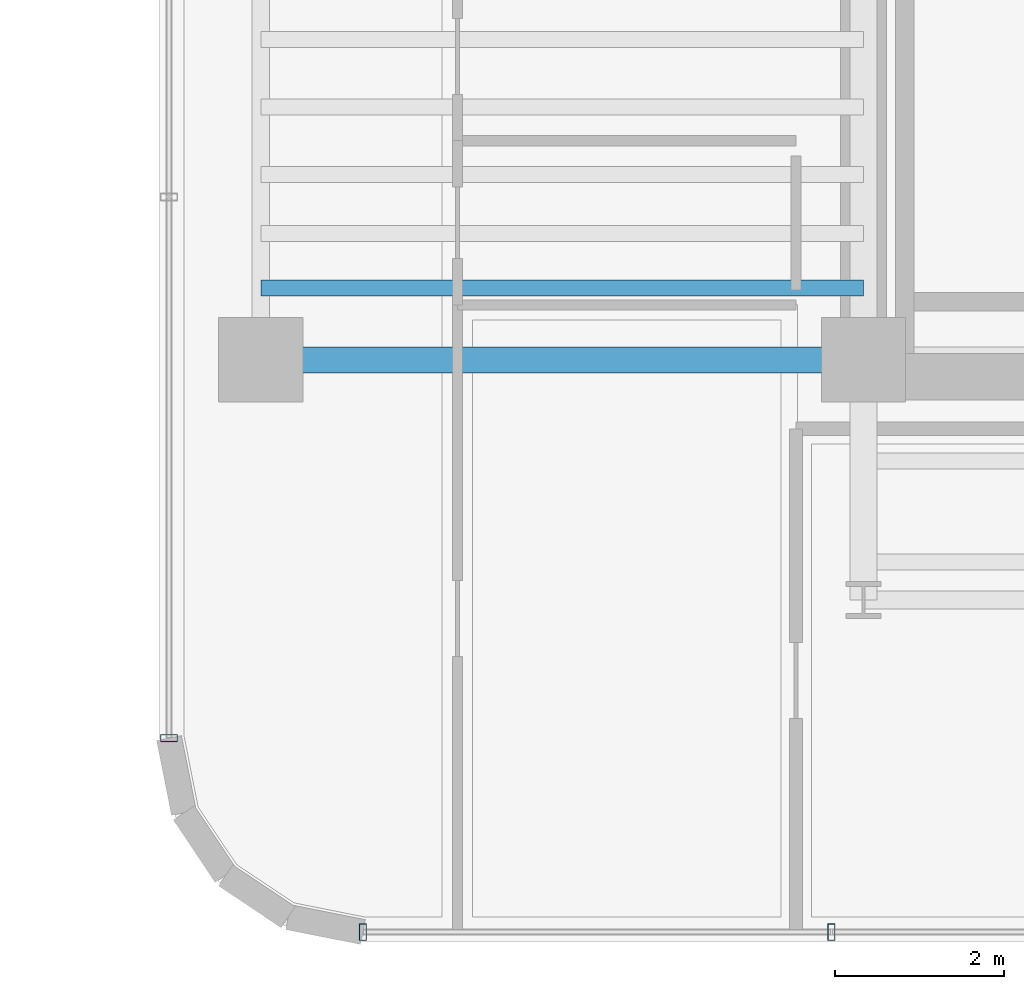
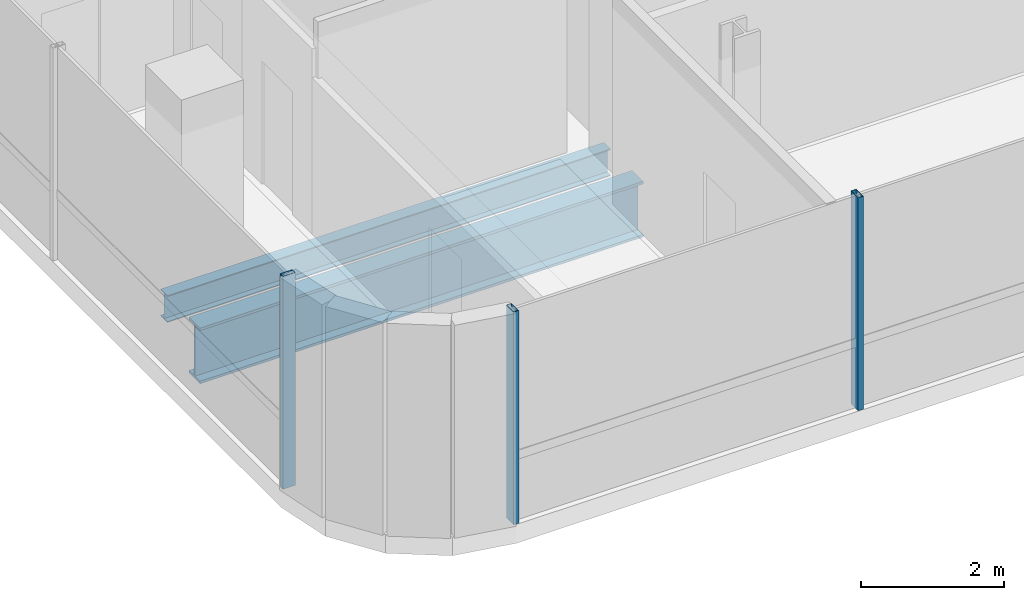
# One storey, part 2 of 39: 3 members, 2 beams, 2 elements without a shape of their own.
"""IFC4 building model written with IfcOpenShell, lengths in metres."""

import ifcopenshell
import ifcopenshell.guid

model = None  # the IFC model being written
_history = None  # IfcOwnerHistory: only IFC2X3 demands one
_inside = {}  # id of a spatial element -> (the spatial element, [elements in it])
_under = {}  # id of a project, library or spatial element -> (it, [spatial elements below it])
_declared = {}  # id of a project -> (the project, [libraries it declares])
_typed = {}  # id of a type object -> (the type object, [elements of that type])
_made_of = {}  # id of a material, layer set ... -> (it, [elements and type objects made of it])


def new_model(schema):
    """Start an empty IFC model of exactly this schema.

    Asked for "IFC4X3", IfcOpenShell would pick the latest addendum, in which some entities
    have other attributes; the version numbers below select the first issue.
    IFC2X3 requires an IfcOwnerHistory on every rooted entity: one is made here for all.
    """
    global model, _history
    if schema == "IFC4X3":
        model = ifcopenshell.file(schema_version=(4, 3, 0, 0))
    else:
        model = ifcopenshell.file(schema=schema)
    _inside.clear()
    _under.clear()
    _declared.clear()
    _typed.clear()
    _made_of.clear()
    _history = None
    if model.schema == "IFC2X3":
        org = make("IfcOrganization", Name="unknown")
        user = make(
            "IfcPersonAndOrganization",
            ThePerson=make("IfcPerson", FamilyName="unknown"),
            TheOrganization=org,
        )
        app = make(
            "IfcApplication",
            ApplicationDeveloper=org,
            Version="unknown",
            ApplicationFullName="unknown",
            ApplicationIdentifier="unknown",
        )
        _history = make(
            "IfcOwnerHistory",
            OwningUser=user,
            OwningApplication=app,
            ChangeAction="ADDED",
            CreationDate=0,
        )
    return model


def make(cls, **values):
    """One entity of the class cls with the attributes given. An attribute that is None is left unset."""
    return model.create_entity(
        cls, **{name: value for name, value in values.items() if value is not None}
    )


def rooted(cls, **values):
    """An entity with a GlobalId (a new one), such as an element, a storey or a relation."""
    return make(cls, GlobalId=ifcopenshell.guid.new(), OwnerHistory=_history, **values)


def si_unit(unit_type, name, prefix=None):
    """IfcSIUnit, for example si_unit("LENGTHUNIT", "METRE", prefix="MILLI")."""
    return make("IfcSIUnit", UnitType=unit_type, Prefix=prefix, Name=name)


def assignment(units):
    """IfcUnitAssignment: the units of a project."""
    return None if units is None else make("IfcUnitAssignment", Units=units)


def point(xyz):
    """IfcCartesianPoint."""
    return None if xyz is None else make("IfcCartesianPoint", Coordinates=xyz)


def direction(xyz):
    """IfcDirection."""
    return None if xyz is None else make("IfcDirection", DirectionRatios=xyz)


def frame(location, z_axis=None, x_axis=None):
    """IfcAxis2Placement3D, a coordinate frame: its origin and axes. An axis left out is left unset."""
    return make(
        "IfcAxis2Placement3D",
        Location=point(location),
        Axis=direction(z_axis),
        RefDirection=direction(x_axis),
    )


def frame_2d(location, x_axis=None):
    """IfcAxis2Placement2D, a coordinate frame in the plane: its origin and x axis."""
    return make(
        "IfcAxis2Placement2D", Location=point(location), RefDirection=direction(x_axis)
    )


def origin():
    """The frame at (0, 0, 0) with its axes left unset."""
    return frame((0.0, 0.0, 0.0))


def origin_2d():
    """The frame at (0, 0) in the plane with its x axis left unset."""
    return frame_2d((0.0, 0.0))


def place(relative_to, where):
    """IfcLocalPlacement: puts the frame where relative to a parent placement (None: the world)."""
    return make(
        "IfcLocalPlacement", PlacementRelTo=relative_to, RelativePlacement=where
    )


def context(
    kind, dimensions, precision=None, world=None, true_north=None, identifier=None
):
    """IfcGeometricRepresentationContext, for example the 3D "Model" context."""
    return make(
        "IfcGeometricRepresentationContext",
        ContextIdentifier=identifier,
        ContextType=kind,
        CoordinateSpaceDimension=dimensions,
        Precision=precision,
        WorldCoordinateSystem=world,
        TrueNorth=true_north,
    )


def subcontext(parent, identifier, kind, view, scale=None):
    """IfcGeometricRepresentationSubContext, for example "Body" below "Model"."""
    return make(
        "IfcGeometricRepresentationSubContext",
        ContextIdentifier=identifier,
        ContextType=kind,
        ParentContext=parent,
        TargetScale=scale,
        TargetView=view,
    )


def project(units=None, contexts=None):
    """IfcProject with its units and contexts."""
    return rooted(
        "IfcProject",
        Name="project",
        RepresentationContexts=contexts,
        UnitsInContext=assignment(units),
    )


def spatial(cls, under=None, at=None, **own):
    """A site, building, storey or space (cls), placed at a placement, below another one or the project."""
    s = rooted(cls, ObjectPlacement=at, **own)
    if under is not None:
        _under.setdefault(under.id(), (under, []))[1].append(s)
    return s


def profile(cls, at=None, kind="AREA", **sizes):
    """A parametric profile (cls). Its sizes go by their IFC names, for example OverallWidth=200.0."""
    return make(cls, ProfileType=kind, Position=at, **sizes)


def hollow_rectangle(**sizes):
    """IfcRectangleHollowProfileDef."""
    return profile("IfcRectangleHollowProfileDef", **sizes)


def i_section(**sizes):
    """IfcIShapeProfileDef."""
    return profile("IfcIShapeProfileDef", **sizes)


def extrude(swept, where, along, depth):
    """IfcExtrudedAreaSolid: the profile swept, set in the frame where, extruded along a direction by depth."""
    return make(
        "IfcExtrudedAreaSolid",
        SweptArea=swept,
        Position=where,
        ExtrudedDirection=direction(along),
        Depth=depth,
    )


def shape(context_of_items, identifier, shape_type, items):
    """IfcShapeRepresentation: the items that make up one representation, for example the "Body"."""
    return make(
        "IfcShapeRepresentation",
        ContextOfItems=context_of_items,
        RepresentationIdentifier=identifier,
        RepresentationType=shape_type,
        Items=items,
    )


def source(mapping_origin, context_of_items, identifier, shape_type, items):
    """IfcRepresentationMap: a shape defined once, which mapped items show again and again."""
    return make(
        "IfcRepresentationMap",
        MappingOrigin=mapping_origin,
        MappedRepresentation=shape(context_of_items, identifier, shape_type, items),
    )


def transform(
    local_origin,
    x_axis=None,
    y_axis=None,
    z_axis=None,
    scale=None,
    scale2=None,
    scale3=None,
    uniform=True,
):
    """IfcCartesianTransformationOperator3D, or its non-uniform kind. x_axis, y_axis, z_axis: its Axis1, 2, 3."""
    if uniform:
        return make(
            "IfcCartesianTransformationOperator3D",
            Axis1=direction(x_axis),
            Axis2=direction(y_axis),
            LocalOrigin=point(local_origin),
            Scale=scale,
            Axis3=direction(z_axis),
        )
    return make(
        "IfcCartesianTransformationOperator3DnonUniform",
        Axis1=direction(x_axis),
        Axis2=direction(y_axis),
        LocalOrigin=point(local_origin),
        Scale=scale,
        Axis3=direction(z_axis),
        Scale2=scale2,
        Scale3=scale3,
    )


def mapped(mapping_source, mapping_target):
    """IfcMappedItem: shows the shape of a source again, moved by a transform."""
    return make(
        "IfcMappedItem", MappingSource=mapping_source, MappingTarget=mapping_target
    )


def material(Name=None, Category=None):
    """IfcMaterial."""
    return make("IfcMaterial", Name=Name, Category=Category)


def material_profile(
    of_material, cross_section, Name=None, Category=None, Priority=None
):
    """IfcMaterialProfile: a cross section and its material."""
    return make(
        "IfcMaterialProfile",
        Name=Name,
        Material=of_material,
        Profile=cross_section,
        Priority=Priority,
        Category=Category,
    )


def profile_set(profiles, Name=None, composite=None):
    """IfcMaterialProfileSet."""
    return make(
        "IfcMaterialProfileSet",
        Name=Name,
        MaterialProfiles=profiles,
        CompositeProfile=composite,
    )


def made_of(thing, what):
    """Note that an element or type object is made of a material, layer set ...; save() writes the relation."""
    if what is not None:
        _made_of.setdefault(what.id(), (what, []))[1].append(thing)
    return thing


def type_object(cls, material=None, **own):
    """A type object (cls), such as IfcWallType, which elements share."""
    return made_of(rooted(cls, **own), material)


def element(
    cls,
    number,
    at=None,
    inside=None,
    cuts=None,
    type_object=None,
    material=None,
    context=None,
    identifier="Body",
    shape_type=None,
    held_by="IfcProductDefinitionShape",
    body=None,
    shapes=None,
    **own,
):
    """One element of the class cls, such as IfcWall. Its Tag is "e" and its number.

    at: its placement. inside: the storey or other place that contains it. cuts: it is an
    opening in that element (IfcRelVoidsElement). A single representation is given by context,
    identifier, shape_type and body (its items); several are given by shapes. held_by: the class
    of the entity that holds the representations. save() writes the other relations.
    """
    e = rooted(cls, Tag="e%d" % number, ObjectPlacement=at, **own)
    if body is not None:
        shapes = [shape(context, identifier, shape_type, body)]
    if shapes is not None:
        e.Representation = make(held_by, Representations=shapes)
    if inside is not None:
        _inside.setdefault(inside.id(), (inside, []))[1].append(e)
    if cuts is not None:
        rooted(
            "IfcRelVoidsElement", RelatingBuildingElement=cuts, RelatedOpeningElement=e
        )
    if type_object is not None:
        _typed.setdefault(type_object.id(), (type_object, []))[1].append(e)
    return made_of(e, material)


def aggregate(whole, parts):
    """IfcRelAggregates: a whole, such as a stair, and the parts it consists of."""
    return rooted("IfcRelAggregates", RelatingObject=whole, RelatedObjects=parts)


def save(model, path):
    """Write the relations noted so far, then the file.

    IfcRelAggregates (storeys below a building ...), IfcRelContainedInSpatialStructure (elements
    in a storey), IfcRelDefinesByType, IfcRelAssociatesMaterial and IfcRelDeclares: one each for
    every whole, place, type object, material and project.
    """
    for whole, parts in _under.values():
        aggregate(whole, parts)
    for where, things in _inside.values():
        rooted(
            "IfcRelContainedInSpatialStructure",
            RelatedElements=things,
            RelatingStructure=where,
        )
    for kind, things in _typed.values():
        rooted("IfcRelDefinesByType", RelatedObjects=things, RelatingType=kind)
    for what, things in _made_of.values():
        rooted("IfcRelAssociatesMaterial", RelatedObjects=things, RelatingMaterial=what)
    for by, libraries in _declared.values():
        rooted("IfcRelDeclares", RelatingContext=by, RelatedDefinitions=libraries)
    model.write(path)


model = new_model("IFC4")

# Units and contexts
model_context = context("Model", 3, precision=1e-05, world=origin(), true_north=direction((0.0, 1.0)))
body_context = subcontext(model_context, "Body", "Model", "MODEL_VIEW")
ifc_project = project(units=[si_unit("LENGTHUNIT", "METRE"), si_unit("AREAUNIT", "SQUARE_METRE"), si_unit("VOLUMEUNIT", "CUBIC_METRE"), si_unit("PLANEANGLEUNIT", "RADIAN"), si_unit("MASSUNIT", "GRAM", prefix="KILO")], contexts=[model_context])

# Site, building, storey
site_placement = place(None, origin())
site = spatial("IfcSite", under=ifc_project, at=site_placement, CompositionType="ELEMENT")
building_placement = place(site_placement, origin())
building = spatial("IfcBuilding", under=site, at=building_placement, Name="Valdorenza Pilgrim Sanctuary Tower", CompositionType="ELEMENT")
storey_placement = place(building_placement, frame((0.0, 0.0, 184.449951171875)))
storey = spatial("IfcBuildingStorey", under=building, at=storey_placement, Name="L47", CompositionType="ELEMENT", Elevation=184.449951171875)

# Beams
ifc_material_1 = material(Name="Steel ASTM A992 Grade 50", Category="steel")
ifc_material_profile_1 = material_profile(ifc_material_1, i_section(OverallWidth=0.19091796875, OverallDepth=0.45703125, WebThickness=0.009033203125, FlangeThickness=0.014404296875, at=origin_2d()), Name="W18X50")
ifc_profile_set_1 = profile_set([ifc_material_profile_1], Name="Steel ASTM A992 Grade 50")
beam_type_1 = type_object("IfcBeamType", Name="STR-BM-JST-W18B", PredefinedType="JOIST", material=ifc_profile_set_1)
shared_shape_1 = source(origin(), body_context, "Body", "SweptSolid", [
    extrude(i_section(OverallWidth=0.19091796875, OverallDepth=0.45703125, WebThickness=0.009033203125, FlangeThickness=0.014404296875, at=origin_2d()), origin(), (0.0, 0.0, 1.0), 7.150146484375),
])
beam_1_placement = place(storey_placement, frame((-29.800048828125, -9.75, -0.54833984375), z_axis=(1.0, 0.0, 0.0), x_axis=(0.0, 1.0, 0.0)))
element("IfcBeam", 1, at=beam_1_placement, inside=storey, type_object=beam_type_1, Name="L47 Composite Floor Joist JST-WA-1", PredefinedType="JOIST", context=body_context, shape_type="MappedRepresentation", body=[
    mapped(shared_shape_1, transform((0.0, 0.0, 0.0), x_axis=(1.0, 0.0, 0.0), y_axis=(0.0, 1.0, 0.0), z_axis=(0.0, 0.0, 1.0), scale=1.0)),
])
ifc_material_profile_2 = material_profile(ifc_material_1, i_section(OverallWidth=0.31005859375, OverallDepth=0.949951171875, WebThickness=0.0244140625, FlangeThickness=0.0439453125, at=origin_2d()), Name="W36X256")
ifc_profile_set_2 = profile_set([ifc_material_profile_2], Name="Steel ASTM A992 Grade 50")
beam_type_2 = type_object("IfcBeamType", Name="STR-BM-GRD-W36B", PredefinedType="BEAM", material=ifc_profile_set_2)
shared_shape_2 = source(origin(), body_context, "Body", "SweptSolid", [
    extrude(i_section(OverallWidth=0.31005859375, OverallDepth=0.949951171875, WebThickness=0.0244140625, FlangeThickness=0.0439453125, at=origin_2d()), origin(), (0.0, 0.0, 1.0), 7.150146484375),
])
beam_2_placement = place(storey_placement, frame((-29.800048828125, -10.60009765625, -0.794921875), z_axis=(1.0, 0.0, 0.0), x_axis=(0.0, 1.0, 0.0)))
element("IfcBeam", 2, at=beam_2_placement, inside=storey, type_object=beam_type_2, Name="L47 Floor Girder WA-XW-S1", PredefinedType="BEAM", context=body_context, shape_type="MappedRepresentation", body=[
    mapped(shared_shape_2, transform((0.0, 0.0, 0.0), x_axis=(1.0, 0.0, 0.0), y_axis=(0.0, 1.0, 0.0), z_axis=(0.0, 0.0, 1.0), scale=1.0)),
])

# Curtain wall, member
ifc_material_2 = material(Name="Curtain-wall IGU glazing", Category="glass")
curtain_wall_type = type_object("IfcCurtainWallType", Name="CW-SYS-02", PredefinedType="NOTDEFINED", material=ifc_material_2)
curtain_wall_1_placement = place(storey_placement, origin())
curtain_wall_1 = element("IfcCurtainWall", 3, at=curtain_wall_1_placement, inside=storey, type_object=curtain_wall_type, Name="L47 Curtain Wall CW-L47-1-1S1", PredefinedType="NOTDEFINED")
ifc_material_3 = material(Name="Anodised aluminium AW-6060", Category="aluminium")
ifc_material_profile_3 = material_profile(ifc_material_3, hollow_rectangle(XDim=0.0849609375, YDim=0.199951171875, WallThickness=0.0048828125, at=origin_2d()), Name="ALU-M 200x85x5")
ifc_profile_set_3 = profile_set([ifc_material_profile_3], Name="Anodised aluminium AW-6060")
member_type = type_object("IfcMemberType", Name="CW-MUL-02", PredefinedType="MULLION", material=ifc_profile_set_3)
shared_shape_3 = source(origin(), body_context, "Body", "SweptSolid", [
    extrude(hollow_rectangle(XDim=0.0849609375, YDim=0.199951171875, WallThickness=0.0048828125, at=origin_2d()), origin(), (0.0, 0.0, 1.0), 3.630126953125),
])
member_1_placement = place(storey_placement, frame((-30.889892578125, -15.089111328125, 0.0), z_axis=(0.0, 0.0, 1.0), x_axis=(0.0, 1.0, 0.0)))
member_1 = element("IfcMember", 4, at=member_1_placement, type_object=member_type, Name="CW-L47-1-1S1 Mullion 1", PredefinedType="MULLION", context=body_context, shape_type="MappedRepresentation", body=[
    mapped(shared_shape_3, transform((0.0, 0.0, 0.0), x_axis=(1.0, 0.0, 0.0), y_axis=(0.0, 1.0, 0.0), z_axis=(0.0, 0.0, 1.0), scale=1.0)),
])
aggregate(curtain_wall_1, [member_1])

# Curtain wall, members
curtain_wall_2_placement = place(storey_placement, origin())
curtain_wall_2 = element("IfcCurtainWall", 5, at=curtain_wall_2_placement, inside=storey, type_object=curtain_wall_type, Name="L47 Curtain Wall CW-L47-1-82", PredefinedType="NOTDEFINED")
member_2_placement = place(storey_placement, frame((-23.02978515625, -17.389892578125, 0.0), z_axis=(0.0, 0.0, 1.0), x_axis=(-1.0, 0.0, 0.0)))
member_2 = element("IfcMember", 6, at=member_2_placement, type_object=member_type, Name="CW-L47-1-82 Mullion 3", PredefinedType="MULLION", context=body_context, shape_type="MappedRepresentation", body=[
    mapped(shared_shape_3, transform((0.0, 0.0, 0.0), x_axis=(1.0, 0.0, 0.0), y_axis=(0.0, 1.0, 0.0), z_axis=(0.0, 0.0, 1.0), scale=1.0)),
])
member_3_placement = place(storey_placement, frame((-28.589111328125, -17.389892578125, 0.0), z_axis=(0.0, 0.0, 1.0), x_axis=(-1.0, 0.0, 0.0)))
member_3 = element("IfcMember", 7, at=member_3_placement, type_object=member_type, Name="CW-L47-1-82 Mullion 4", PredefinedType="MULLION", context=body_context, shape_type="MappedRepresentation", body=[
    mapped(shared_shape_3, transform((0.0, 0.0, 0.0), x_axis=(1.0, 0.0, 0.0), y_axis=(0.0, 1.0, 0.0), z_axis=(0.0, 0.0, 1.0), scale=1.0)),
])
aggregate(curtain_wall_2, [member_2, member_3])

save(model, "model.ifc")
